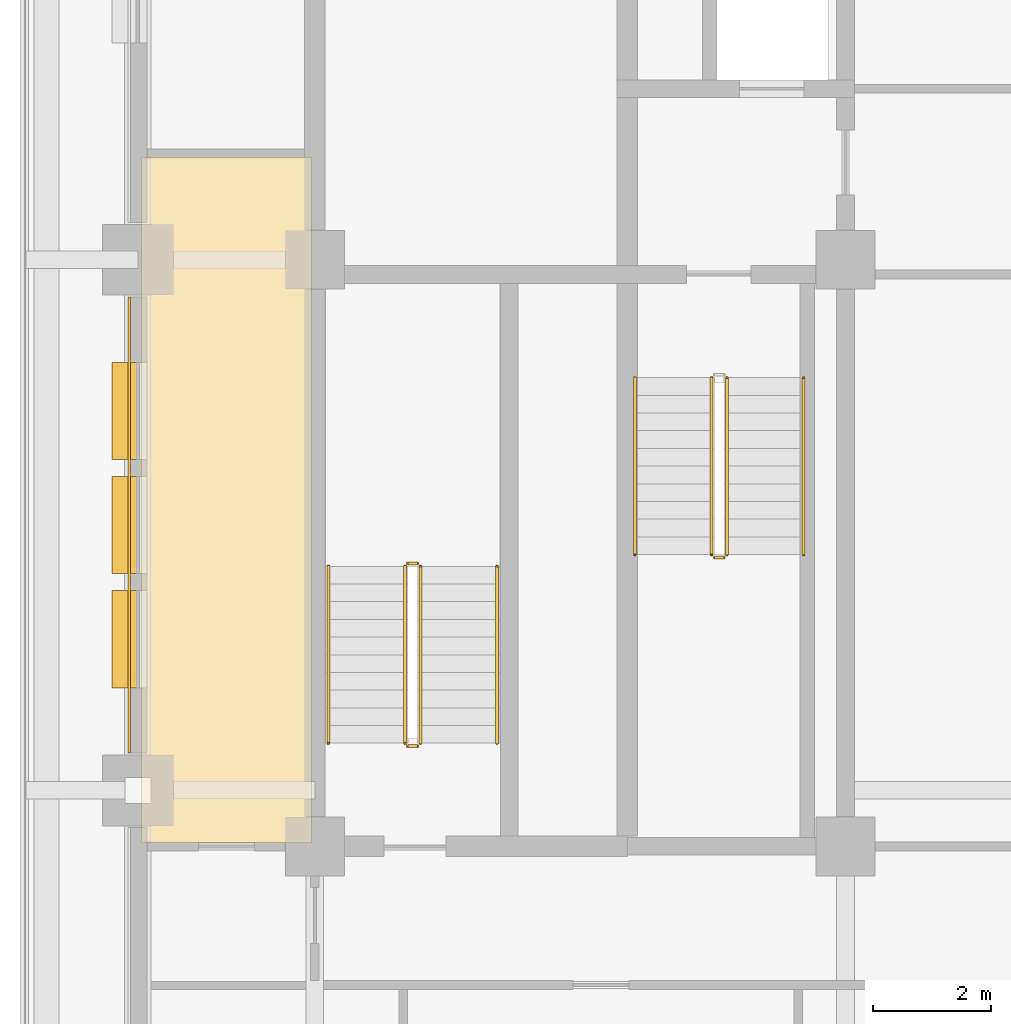
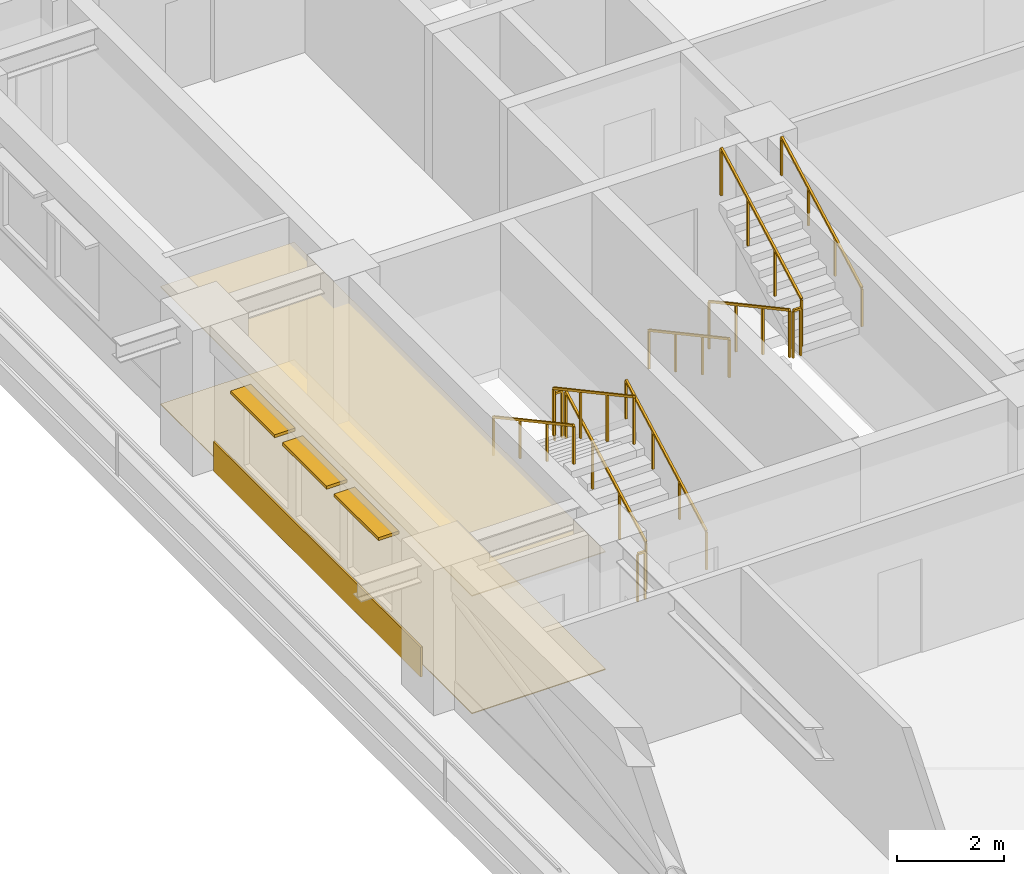
# One storey, part 8 of 13: 11 railings, 3 coverings, 3 shading devices.
"""IFC4 building model written with IfcOpenShell, lengths in metres."""

from ifc_helpers import new_model, si_unit, direction, frame, frame_2d, origin, origin_2d, place, context, subcontext, project, spatial, polyline, rectangle, outline, extrude, material, layer, layer_set, type_object, element, save


model = new_model("IFC4")

# Units and contexts
model_context = context("Model", 3, precision=1e-05, world=origin(), true_north=direction((0.0, 1.0)))
body_context = subcontext(model_context, "Body", "Model", "MODEL_VIEW")
ifc_project = project(units=[si_unit("LENGTHUNIT", "METRE"), si_unit("AREAUNIT", "SQUARE_METRE"), si_unit("VOLUMEUNIT", "CUBIC_METRE"), si_unit("PLANEANGLEUNIT", "RADIAN"), si_unit("MASSUNIT", "GRAM", prefix="KILO")], contexts=[model_context])

# Site, building, storey
site_placement = place(None, origin())
site = spatial("IfcSite", under=ifc_project, at=site_placement, CompositionType="ELEMENT")
building_placement = place(site_placement, origin())
building = spatial("IfcBuilding", under=site, at=building_placement, Name="Zulmaris Gate Convention Tower", CompositionType="ELEMENT")
storey_placement = place(building_placement, frame((0.0, 0.0, 105.639892578125)))
storey = spatial("IfcBuildingStorey", under=building, at=storey_placement, Name="L26", CompositionType="ELEMENT", Elevation=105.639892578125)

# Coverings
ifc_material_1 = material(Name="Precast concrete C40/50", Category="concrete")
ifc_layer_1 = layer(ifc_material_1, 0.0400390625, Name="Precast concrete C40/50")
ifc_layer_set_1 = layer_set([ifc_layer_1], Name="Precast concrete C40/50")
covering_type_1 = type_object("IfcCoveringType", Name="CLAD-SPANDREL-PRECAST", PredefinedType="CLADDING", material=ifc_layer_set_1)
covering_1_placement = place(storey_placement, frame((-23.14990234375, -0.6298828125, 0.0), z_axis=(0.0, 0.0, 1.0), x_axis=(0.0, -1.0, 0.0)))
element("IfcCovering", 1, at=covering_1_placement, inside=storey, type_object=covering_type_1, Name="CLD-L26-W-1_0", PredefinedType="CLADDING", context=body_context, shape_type="SweptSolid", body=[
    extrude(rectangle(XDim=7.740234375, YDim=0.0400390625, at=frame_2d((3.8701171875, 0.0))), origin(), (0.0, 0.0, 1.0), 0.679931640625),
])
ifc_material_2 = material(Name="Mineral Fibre Acoustic Ceiling Tile")
ifc_layer_2 = layer(ifc_material_2, 0.02001953125, Name="Mineral Fibre Acoustic Ceiling Tile")
ifc_layer_set_2 = layer_set([ifc_layer_2], Name="Mineral Fibre Acoustic Ceiling Tile")
covering_type_2 = type_object("IfcCoveringType", Name="CLG-ACOUSTIC-600", PredefinedType="CEILING", material=ifc_layer_set_2)
covering_2_placement = place(storey_placement, frame((0.0, 0.0, 2.68017578125)))
element("IfcCovering", 2, at=covering_2_placement, inside=storey, type_object=covering_type_2, Name="CLG-L26-R47", PredefinedType="CEILING", context=body_context, shape_type="SweptSolid", body=[
    extrude(outline(polyline([(-22.93994140625, -9.889892578125), (-20.06005859375, -9.889892578125), (-20.06005859375, 1.739990234375), (-22.93994140625, 1.739990234375), (-22.93994140625, -9.889892578125)])), origin(), (0.0, 0.0, 1.0), 0.02001953125),
])
ifc_material_3 = material(Name="Woven Acoustic Wool Carpet Tile")
ifc_layer_3 = layer(ifc_material_3, 0.02001953125, Name="Woven Acoustic Wool Carpet Tile")
ifc_layer_set_3 = layer_set([ifc_layer_3], Name="Woven Acoustic Wool Carpet Tile")
covering_type_3 = type_object("IfcCoveringType", Name="FLR-CARPET-12", PredefinedType="FLOORING", material=ifc_layer_set_3)
covering_3_placement = place(storey_placement, origin())
element("IfcCovering", 3, at=covering_3_placement, inside=storey, type_object=covering_type_3, Name="FLR-L26-R47", PredefinedType="FLOORING", context=body_context, shape_type="SweptSolid", body=[
    extrude(outline(polyline([(-22.93994140625, -9.889892578125), (-20.06005859375, -9.889892578125), (-20.06005859375, 1.739990234375), (-22.93994140625, 1.739990234375), (-22.93994140625, -9.889892578125)])), origin(), (0.0, 0.0, 1.0), 0.02001953125),
])

# Railings
ifc_material_4 = material(Name="Painted Galvanised Steel", Category="steel")
railing_type_1 = type_object("IfcRailingType", Name="RL-STG-1150", PredefinedType="GUARDRAIL", material=ifc_material_4)
railing_1_placement = place(storey_placement, frame((-13.27001953125, -2.0, 0.162353515625)))
element("IfcRailing", 4, at=railing_1_placement, inside=storey, type_object=railing_type_1, Name="L26 ST-1 stair guard 1", PredefinedType="GUARDRAIL", context=body_context, shape_type="SweptSolid", body=[
    extrude(rectangle(XDim=0.048095703125, YDim=0.048095703125, at=origin_2d()), frame((0.0, 0.0, 1.076171875), z_axis=(0.0, -0.8795616155, 0.475784998228), x_axis=(1.0, 0.0, 0.0)), (0.0, 0.0, 1.0), 3.410888671875),
    extrude(rectangle(XDim=0.0419921875, YDim=0.0419921875, at=origin_2d()), origin(), (0.0, 0.0, 1.0), 1.052001953125),
    extrude(rectangle(XDim=0.0419921875, YDim=0.0419921875, at=origin_2d()), frame((0.0, -1.0, 0.541015625)), (0.0, 0.0, 1.0), 1.052001953125),
    extrude(rectangle(XDim=0.0419921875, YDim=0.0419921875, at=origin_2d()), frame((0.0, -2.0, 1.081787109375)), (0.0, 0.0, 1.0), 1.052001953125),
    extrude(rectangle(XDim=0.0419921875, YDim=0.0419921875, at=origin_2d()), frame((0.0, -3.0, 1.622802734375)), (0.0, 0.0, 1.0), 1.052001953125),
])
railing_2_placement = place(storey_placement, frame((-13.219970703125, -5.050048828125, 1.78515625)))
element("IfcRailing", 5, at=railing_2_placement, inside=storey, type_object=railing_type_1, Name="L26 ST-1 stair guard 2", PredefinedType="GUARDRAIL", context=body_context, shape_type="SweptSolid", body=[
    extrude(rectangle(XDim=0.048095703125, YDim=0.048095703125, at=origin_2d()), frame((0.0, 0.0, 1.076171875), z_axis=(1.0, 0.0, 0.0), x_axis=(0.0, 1.0, 0.0)), (0.0, 0.0, 1.0), 0.159912109375),
    extrude(rectangle(XDim=0.0419921875, YDim=0.0419921875, at=origin_2d()), origin(), (0.0, 0.0, 1.0), 1.052001953125),
    extrude(rectangle(XDim=0.0419921875, YDim=0.0419921875, at=origin_2d()), frame((0.159912109375, 0.0, 0.0)), (0.0, 0.0, 1.0), 1.052001953125),
])
for number, where, name in (
    (6, (-13.010009765625, -5.0, 1.947265625), "L26 ST-1 stair guard 3"),
    (7, (-18.2099609375, -8.199951171875, 0.162353515625), "L26 ST-3 stair guard 1"),
):
    element("IfcRailing", number, at=place(storey_placement, frame(where)), inside=storey, type_object=railing_type_1, Name=name, PredefinedType="GUARDRAIL", context=body_context, shape_type="SweptSolid", body=[
        extrude(rectangle(XDim=0.048095703125, YDim=0.048095703125, at=origin_2d()), frame((0.0, 0.0, 1.076171875), z_axis=(0.0, 0.8795616155, 0.475784998228), x_axis=(-1.0, 0.0, 0.0)), (0.0, 0.0, 1.0), 3.410888671875),
        extrude(rectangle(XDim=0.0419921875, YDim=0.0419921875, at=origin_2d()), origin(), (0.0, 0.0, 1.0), 1.052001953125),
        extrude(rectangle(XDim=0.0419921875, YDim=0.0419921875, at=origin_2d()), frame((0.0, 1.0, 0.541015625)), (0.0, 0.0, 1.0), 1.052001953125),
        extrude(rectangle(XDim=0.0419921875, YDim=0.0419921875, at=origin_2d()), frame((0.0, 2.0, 1.081787109375)), (0.0, 0.0, 1.0), 1.052001953125),
        extrude(rectangle(XDim=0.0419921875, YDim=0.0419921875, at=origin_2d()), frame((0.0, 3.0, 1.622802734375)), (0.0, 0.0, 1.0), 1.052001953125),
    ])
railing_3_placement = place(storey_placement, frame((-18.260009765625, -5.14990234375, 1.78515625)))
element("IfcRailing", 8, at=railing_3_placement, inside=storey, type_object=railing_type_1, Name="L26 ST-3 stair guard 2", PredefinedType="GUARDRAIL", context=body_context, shape_type="SweptSolid", body=[
    extrude(rectangle(XDim=0.048095703125, YDim=0.048095703125, at=origin_2d()), frame((0.0, 0.0, 1.076171875), z_axis=(-1.0, 0.0, 0.0), x_axis=(0.0, -1.0, 0.0)), (0.0, 0.0, 1.0), 0.159912109375),
    extrude(rectangle(XDim=0.0419921875, YDim=0.0419921875, at=origin_2d()), origin(), (0.0, 0.0, 1.0), 1.052001953125),
    extrude(rectangle(XDim=0.0419921875, YDim=0.0419921875, at=origin_2d()), frame((-0.159912109375, 0.0, 0.0)), (0.0, 0.0, 1.0), 1.052001953125),
])
railing_4_placement = place(storey_placement, frame((-18.469970703125, -5.199951171875, 1.947265625)))
element("IfcRailing", 9, at=railing_4_placement, inside=storey, type_object=railing_type_1, Name="L26 ST-3 stair guard 3", PredefinedType="GUARDRAIL", context=body_context, shape_type="SweptSolid", body=[
    extrude(rectangle(XDim=0.048095703125, YDim=0.048095703125, at=origin_2d()), frame((0.0, 0.0, 1.076171875), z_axis=(0.0, -0.8795616155, 0.475784998228), x_axis=(1.0, 0.0, 0.0)), (0.0, 0.0, 1.0), 3.410888671875),
    extrude(rectangle(XDim=0.0419921875, YDim=0.0419921875, at=origin_2d()), origin(), (0.0, 0.0, 1.0), 1.052001953125),
    extrude(rectangle(XDim=0.0419921875, YDim=0.0419921875, at=origin_2d()), frame((0.0, -1.0, 0.541015625)), (0.0, 0.0, 1.0), 1.052001953125),
    extrude(rectangle(XDim=0.0419921875, YDim=0.0419921875, at=origin_2d()), frame((0.0, -2.0, 1.081787109375)), (0.0, 0.0, 1.0), 1.052001953125),
    extrude(rectangle(XDim=0.0419921875, YDim=0.0419921875, at=origin_2d()), frame((0.0, -3.0, 1.622802734375)), (0.0, 0.0, 1.0), 1.052001953125),
])
railing_5_placement = place(storey_placement, frame((-18.260009765625, -8.25, 0.0)))
element("IfcRailing", 10, at=railing_5_placement, inside=storey, type_object=railing_type_1, Name="L26 ST-3 stair guard 4", PredefinedType="GUARDRAIL", context=body_context, shape_type="SweptSolid", body=[
    extrude(rectangle(XDim=0.048095703125, YDim=0.048095703125, at=origin_2d()), frame((0.0, 0.0, 1.076171875), z_axis=(-1.0, 0.0, 0.0), x_axis=(0.0, -1.0, 0.0)), (0.0, 0.0, 1.0), 0.159912109375),
    extrude(rectangle(XDim=0.0419921875, YDim=0.0419921875, at=origin_2d()), origin(), (0.0, 0.0, 1.0), 1.052001953125),
    extrude(rectangle(XDim=0.0419921875, YDim=0.0419921875, at=origin_2d()), frame((-0.159912109375, 0.0, 0.0)), (0.0, 0.0, 1.0), 1.052001953125),
])
ifc_material_5 = material(Name="Brushed Stainless Steel", Category="steel")
railing_type_2 = type_object("IfcRailingType", Name="RL-STH-900", PredefinedType="HANDRAIL", material=ifc_material_5)
railing_6_placement = place(storey_placement, frame((-14.570068359375, -2.0, 0.162353515625)))
element("IfcRailing", 11, at=railing_6_placement, inside=storey, type_object=railing_type_2, Name="L26 ST-1 stair handrail 1", PredefinedType="HANDRAIL", context=body_context, shape_type="SweptSolid", body=[
    extrude(rectangle(XDim=0.048095703125, YDim=0.048095703125, at=origin_2d()), frame((0.0, 0.0, 0.8759765625), z_axis=(0.0, -0.8795616155, 0.475784998228), x_axis=(1.0, 0.0, 0.0)), (0.0, 0.0, 1.0), 3.410888671875),
    extrude(rectangle(XDim=0.0419921875, YDim=0.0419921875, at=origin_2d()), origin(), (0.0, 0.0, 1.0), 0.851806640625),
    extrude(rectangle(XDim=0.0419921875, YDim=0.0419921875, at=origin_2d()), frame((0.0, -1.0, 0.541015625)), (0.0, 0.0, 1.0), 0.851806640625),
    extrude(rectangle(XDim=0.0419921875, YDim=0.0419921875, at=origin_2d()), frame((0.0, -2.0, 1.081787109375)), (0.0, 0.0, 1.0), 0.851806640625),
    extrude(rectangle(XDim=0.0419921875, YDim=0.0419921875, at=origin_2d()), frame((0.0, -3.0, 1.622802734375)), (0.0, 0.0, 1.0), 0.851806640625),
])
for number, where, name in (
    (12, (-11.7099609375, -5.0, 1.947265625), "L26 ST-1 stair handrail 2"),
    (13, (-16.909912109375, -8.199951171875, 0.162353515625), "L26 ST-3 stair handrail 1"),
):
    element("IfcRailing", number, at=place(storey_placement, frame(where)), inside=storey, type_object=railing_type_2, Name=name, PredefinedType="HANDRAIL", context=body_context, shape_type="SweptSolid", body=[
        extrude(rectangle(XDim=0.048095703125, YDim=0.048095703125, at=origin_2d()), frame((0.0, 0.0, 0.8759765625), z_axis=(0.0, 0.8795616155, 0.475784998228), x_axis=(-1.0, 0.0, 0.0)), (0.0, 0.0, 1.0), 3.410888671875),
        extrude(rectangle(XDim=0.0419921875, YDim=0.0419921875, at=origin_2d()), origin(), (0.0, 0.0, 1.0), 0.851806640625),
        extrude(rectangle(XDim=0.0419921875, YDim=0.0419921875, at=origin_2d()), frame((0.0, 1.0, 0.541015625)), (0.0, 0.0, 1.0), 0.851806640625),
        extrude(rectangle(XDim=0.0419921875, YDim=0.0419921875, at=origin_2d()), frame((0.0, 2.0, 1.081787109375)), (0.0, 0.0, 1.0), 0.851806640625),
        extrude(rectangle(XDim=0.0419921875, YDim=0.0419921875, at=origin_2d()), frame((0.0, 3.0, 1.622802734375)), (0.0, 0.0, 1.0), 0.851806640625),
    ])
railing_7_placement = place(storey_placement, frame((-19.77001953125, -5.199951171875, 1.947265625)))
element("IfcRailing", 14, at=railing_7_placement, inside=storey, type_object=railing_type_2, Name="L26 ST-3 stair handrail 2", PredefinedType="HANDRAIL", context=body_context, shape_type="SweptSolid", body=[
    extrude(rectangle(XDim=0.048095703125, YDim=0.048095703125, at=origin_2d()), frame((0.0, 0.0, 0.8759765625), z_axis=(0.0, -0.8795616155, 0.475784998228), x_axis=(1.0, 0.0, 0.0)), (0.0, 0.0, 1.0), 3.410888671875),
    extrude(rectangle(XDim=0.0419921875, YDim=0.0419921875, at=origin_2d()), origin(), (0.0, 0.0, 1.0), 0.851806640625),
    extrude(rectangle(XDim=0.0419921875, YDim=0.0419921875, at=origin_2d()), frame((0.0, -1.0, 0.541015625)), (0.0, 0.0, 1.0), 0.851806640625),
    extrude(rectangle(XDim=0.0419921875, YDim=0.0419921875, at=origin_2d()), frame((0.0, -2.0, 1.081787109375)), (0.0, 0.0, 1.0), 0.851806640625),
    extrude(rectangle(XDim=0.0419921875, YDim=0.0419921875, at=origin_2d()), frame((0.0, -3.0, 1.622802734375)), (0.0, 0.0, 1.0), 0.851806640625),
])

# Shading devices
ifc_material_6 = material(Name="Glazed Ceramic Terracotta", Category="masonry")
ifc_layer_4 = layer(ifc_material_6, 0.070068359375, Name="Glazed Ceramic Terracotta")
ifc_layer_set_4 = layer_set([ifc_layer_4], Name="Glazed Ceramic Terracotta")
shading_device_type = type_object("IfcShadingDeviceType", Name="SHD-SUNSHADE-TC", PredefinedType="AWNING", material=ifc_layer_set_4)
for number, where, z_axis, x_axis, name in (
    (15, (-23.219970703125, -1.739990234375, 2.530029296875), (0.0, 0.0, 1.0), (0.0, -1.0, 0.0), "SHD-EW-L26-W-1_0-1"),
    (16, (-23.219970703125, -3.675048828125, 2.530029296875), (0.0, 0.0, 1.0), (0.0, -1.0, 0.0), "SHD-EW-L26-W-1_0-2"),
    (17, (-23.219970703125, -5.610107421875, 2.530029296875), (0.0, 0.0, 1.0), (0.0, -1.0, 0.0), "SHD-EW-L26-W-1_0-3"),
):
    element("IfcShadingDevice", number, at=place(storey_placement, frame(where, z_axis=z_axis, x_axis=x_axis)), inside=storey, type_object=shading_device_type, Name=name, PredefinedType="AWNING", context=body_context, shape_type="SweptSolid", body=[
        extrude(rectangle(XDim=1.64990234375, YDim=0.43994140625, at=frame_2d((0.824951171875, 0.0))), origin(), (0.0, 0.0, 1.0), 0.070068359375),
    ])

save(model, "model.ifc")
